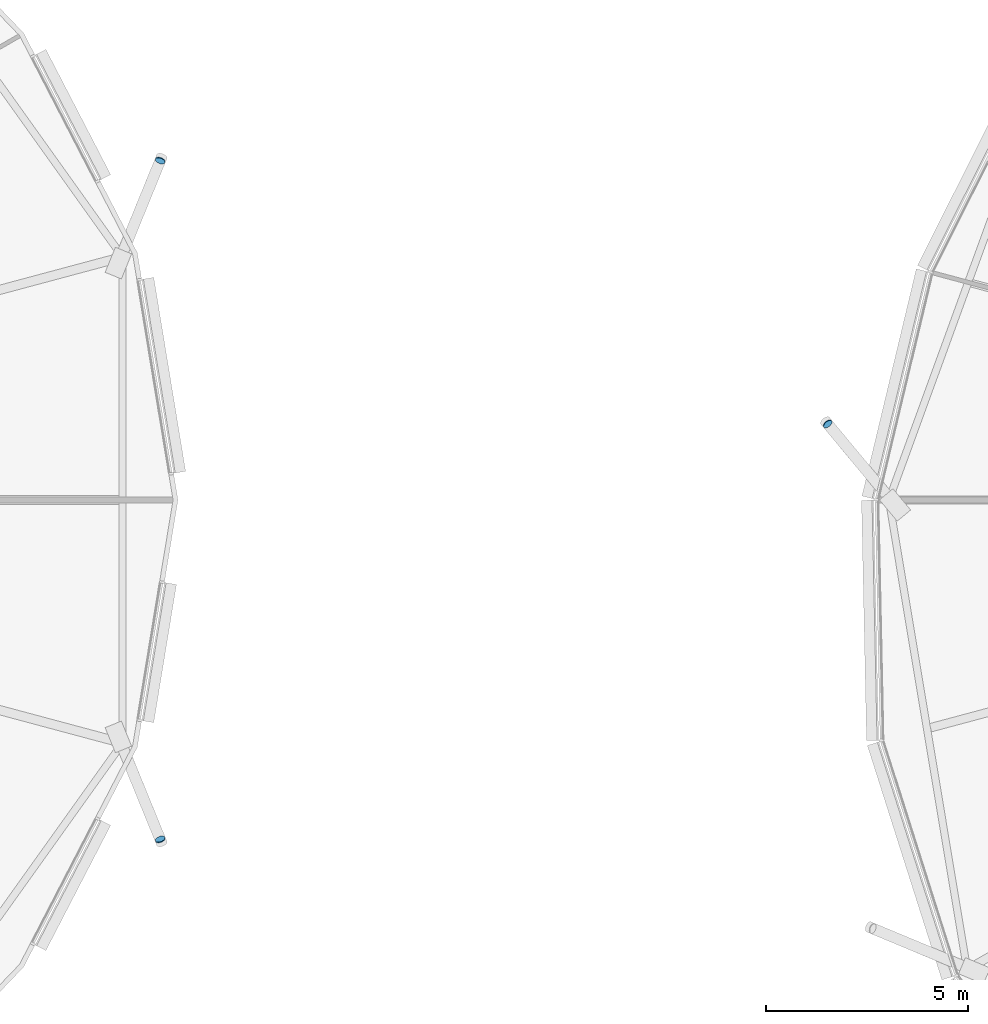
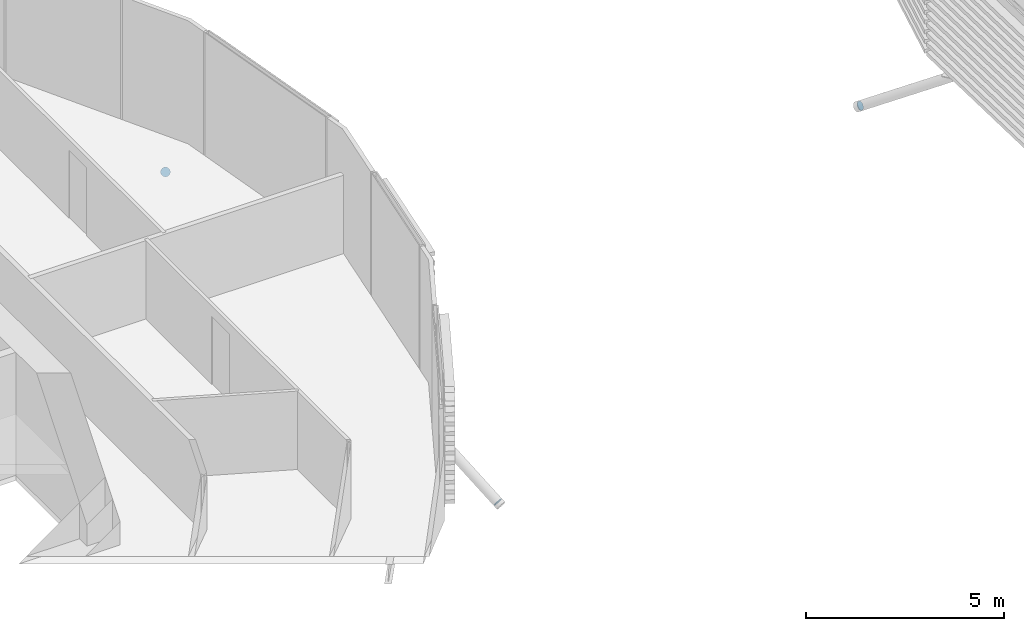
# One storey, part 29 of 40: 3 discrete accessories.
"""IFC4 building model written with IfcOpenShell, lengths in metres."""

from ifc_helpers import new_model, si_unit, direction, frame, origin, origin_2d, place, context, subcontext, project, spatial, circle, extrude, material, material_profile, profile_set, type_object, element, save


model = new_model("IFC4")

# Units and contexts
model_context = context("Model", 3, precision=1e-05, world=origin(), true_north=direction((0.0, 1.0)))
body_context = subcontext(model_context, "Body", "Model", "MODEL_VIEW")
ifc_project = project(units=[si_unit("LENGTHUNIT", "METRE"), si_unit("AREAUNIT", "SQUARE_METRE"), si_unit("VOLUMEUNIT", "CUBIC_METRE"), si_unit("PLANEANGLEUNIT", "RADIAN"), si_unit("MASSUNIT", "GRAM", prefix="KILO")], contexts=[model_context])

# Site, building, storey
site_placement = place(None, origin())
site = spatial("IfcSite", under=ifc_project, at=site_placement, CompositionType="ELEMENT")
building_placement = place(site_placement, origin())
building = spatial("IfcBuilding", under=site, at=building_placement, Name="Rimbun Link Towers", CompositionType="ELEMENT")
storey_placement = place(building_placement, frame((0.0, 0.0, 89.199951171875)))
storey = spatial("IfcBuildingStorey", under=building, at=storey_placement, Name="L21", CompositionType="ELEMENT", Elevation=89.199951171875)

# Discrete accessories
ifc_material = material(Name="Steel S355J2H", Category="steel")
ifc_material_profile = material_profile(ifc_material, circle(Radius=0.1240234375, at=origin_2d()), Name="PL D248")
ifc_profile_set = profile_set([ifc_material_profile], Name="Steel S355J2H")
discrete_accessory_type = type_object("IfcDiscreteAccessoryType", Name="Link foot sealing plate D248X20", PredefinedType="BRACKET", material=ifc_profile_set)
for number, where, z_axis, x_axis, name in (
    (1, (-8.36474609375, 8.394775390625, -2.5087890625), (0.317451088829, 0.781418064809, -0.537224919556), (-0.926466577122, 0.376377046956, 0.0), "Link foot sealing plate T1 L21 01"),
    (2, (-8.36474609375, -8.394775390625, -2.5087890625), (0.317451088829, -0.781418064809, -0.537224919556), (0.926466577122, 0.376377046956, 0.0), "Link foot sealing plate T1 L21 23"),
    (3, (8.16650390625, 1.878173828125, -2.298583984375), (-0.546106853226, 0.655328223871, -0.521835437527), (-0.768221279597, -0.640184399664, 0.0), "Link foot sealing plate T2 L21 09"),
):
    element("IfcDiscreteAccessory", number, at=place(storey_placement, frame(where, z_axis=z_axis, x_axis=x_axis)), inside=storey, type_object=discrete_accessory_type, Name=name, PredefinedType="BRACKET", context=body_context, shape_type="SweptSolid", body=[
        extrude(circle(Radius=0.1240234375, at=origin_2d()), origin(), (0.0, 0.0, 1.0), 0.02001953125),
    ])

save(model, "model.ifc")
